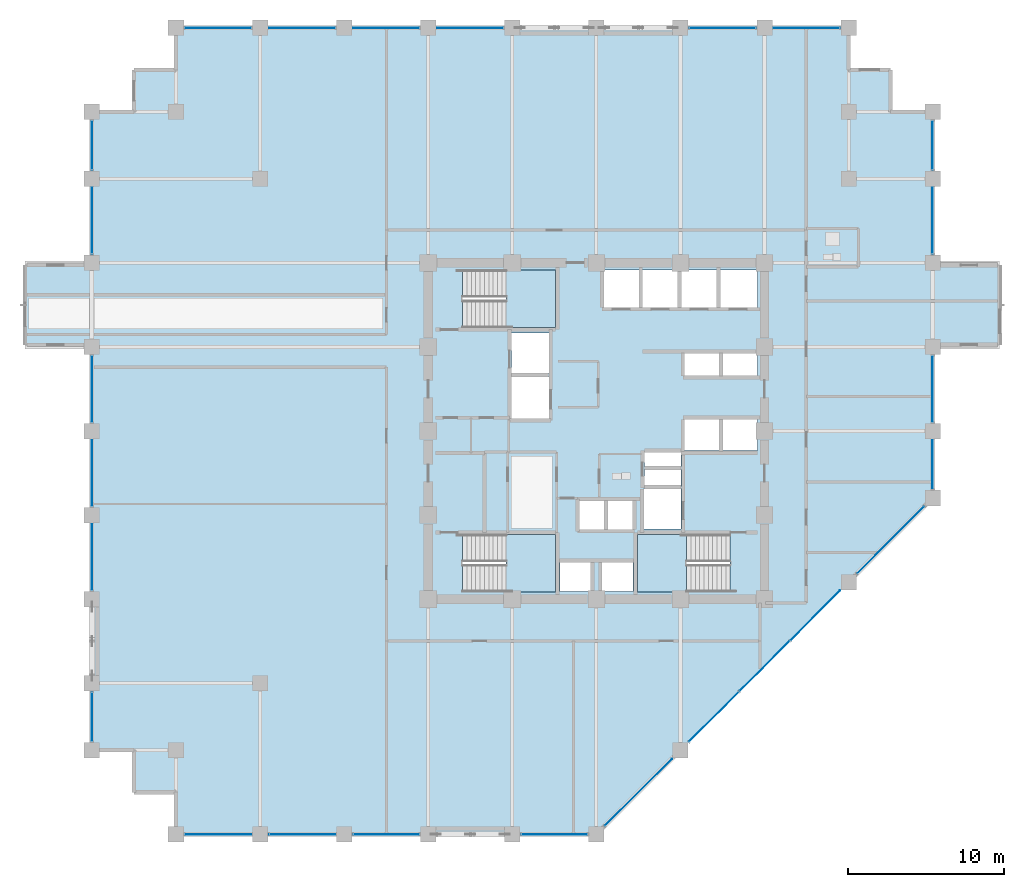
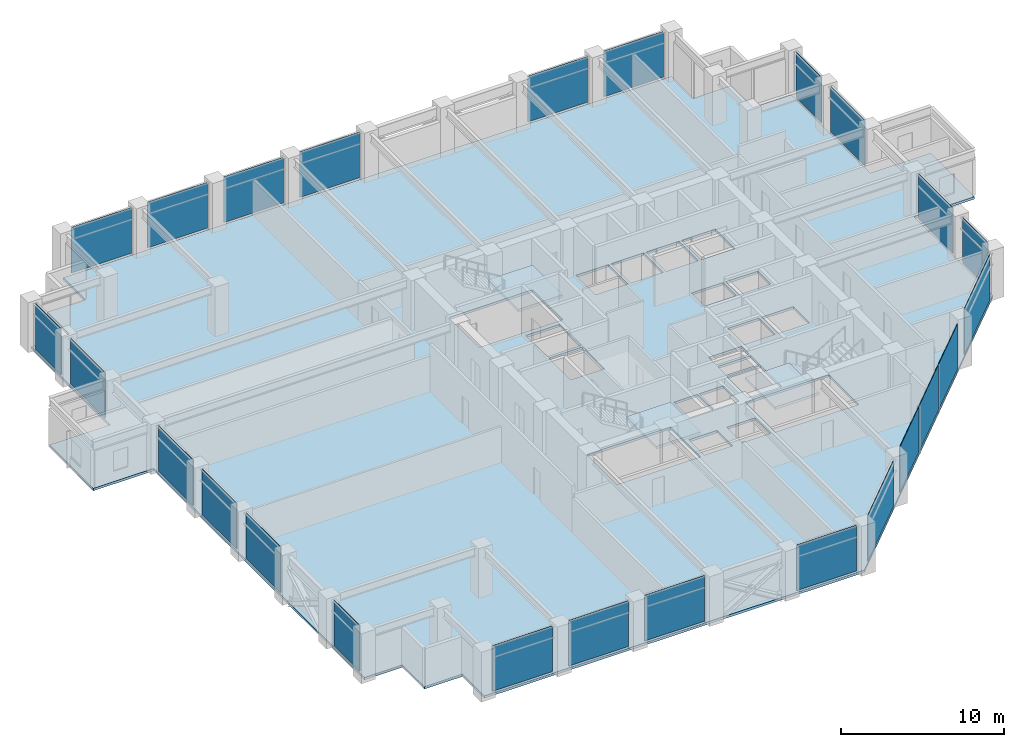
# One storey, part 20 of 29: 25 plates, 4 slabs, 13 elements without a shape of their own.
"""IFC4 building model written with IfcOpenShell, lengths in metres."""

from ifc_helpers import new_model, si_unit, direction, frame, frame_2d, origin, place, context, subcontext, project, spatial, polyline, rectangle, outline, extrude, material, layer, layer_set, type_object, element, aggregate, save


model = new_model("IFC4")

# Units and contexts
model_context = context("Model", 3, precision=1e-05, world=origin(), true_north=direction((0.0, 1.0)))
body_context = subcontext(model_context, "Body", "Model", "MODEL_VIEW")
ifc_project = project(units=[si_unit("LENGTHUNIT", "METRE"), si_unit("AREAUNIT", "SQUARE_METRE"), si_unit("VOLUMEUNIT", "CUBIC_METRE"), si_unit("PLANEANGLEUNIT", "RADIAN"), si_unit("MASSUNIT", "GRAM", prefix="KILO")], contexts=[model_context])

# Site, building, storey
site_placement = place(None, origin())
site = spatial("IfcSite", under=ifc_project, at=site_placement, CompositionType="ELEMENT")
building_placement = place(site_placement, origin())
building = spatial("IfcBuilding", under=site, at=building_placement, Name="Surkhivell Harbour Commons", CompositionType="ELEMENT")
storey_placement = place(building_placement, frame((0.0, 0.0, 154.5)))
storey = spatial("IfcBuildingStorey", under=building, at=storey_placement, Name="L40", CompositionType="ELEMENT", Elevation=154.5)

# Curtain wall, plates
ifc_material_1 = material(Name="Anodised pale-metal aluminium and insulated glazing", Category="aluminium")
ifc_layer_1 = layer(ifc_material_1, 0.205078125)
ifc_layer_set_1 = layer_set([ifc_layer_1], Name="Anodised pale-metal aluminium and insulated glazing")
curtain_wall_type = type_object("IfcCurtainWallType", Name="CW-SYS-Z2", PredefinedType="NOTDEFINED", material=ifc_layer_set_1)
curtain_wall_1_placement = place(storey_placement, origin())
curtain_wall_1 = element("IfcCurtainWall", 1, at=curtain_wall_1_placement, inside=storey, type_object=curtain_wall_type, Name="L40 Curtain Wall CW-L40-E00S1", PredefinedType="NOTDEFINED")
ifc_material_2 = material(Name="High-pressure typhoon laminated vision glass", Category="glass")
ifc_layer_2 = layer(ifc_material_2, 0.035888671875)
ifc_layer_set_2 = layer_set([ifc_layer_2], Name="High-pressure typhoon laminated vision glass")
plate_type = type_object("IfcPlateType", Name="CWP-GLZ-36", PredefinedType="CURTAIN_PANEL", material=ifc_layer_set_2)
plate_1_placement = place(storey_placement, frame((-26.423095703125, -25.89990234375, 0.14990234375), z_axis=(0.0, 0.0, 1.0), x_axis=(1.0, 0.0, 0.0)))
plate_1 = element("IfcPlate", 2, at=plate_1_placement, type_object=plate_type, Name="CW-Z2 panel 1.1", PredefinedType="CURTAIN_PANEL", context=body_context, shape_type="SweptSolid", body=[
    extrude(rectangle(XDim=4.24609375, YDim=0.035888671875, at=frame_2d((2.123046875, 0.0))), origin(), (0.0, 0.0, 1.0), 3.420166015625),
])
plate_2_placement = place(storey_placement, frame((-21.02294921875, -25.89990234375, 0.14990234375), z_axis=(0.0, 0.0, 1.0), x_axis=(1.0, 0.0, 0.0)))
plate_2 = element("IfcPlate", 3, at=plate_2_placement, type_object=plate_type, Name="CW-Z2 panel 2.1", PredefinedType="CURTAIN_PANEL", context=body_context, shape_type="SweptSolid", body=[
    extrude(rectangle(XDim=4.245849609375, YDim=0.035888671875, at=frame_2d((2.123046875, 0.0))), origin(), (0.0, 0.0, 1.0), 3.420166015625),
])
plate_3_placement = place(storey_placement, frame((-15.623046875, -25.89990234375, 0.14990234375), z_axis=(0.0, 0.0, 1.0), x_axis=(1.0, 0.0, 0.0)))
plate_3 = element("IfcPlate", 4, at=plate_3_placement, type_object=plate_type, Name="CW-Z2 panel 3.1", PredefinedType="CURTAIN_PANEL", context=body_context, shape_type="SweptSolid", body=[
    extrude(rectangle(XDim=4.24609375, YDim=0.035888671875, at=frame_2d((2.123046875, 0.0))), origin(), (0.0, 0.0, 1.0), 3.420166015625),
])
aggregate(curtain_wall_1, [plate_1, plate_2, plate_3])

# Curtain wall, plate
curtain_wall_2_placement = place(storey_placement, origin())
curtain_wall_2 = element("IfcCurtainWall", 5, at=curtain_wall_2_placement, inside=storey, type_object=curtain_wall_type, Name="L40 Curtain Wall CW-L40-E00S2", PredefinedType="NOTDEFINED")
plate_4_placement = place(storey_placement, frame((-4.822998046875, -25.89990234375, 0.14990234375), z_axis=(0.0, 0.0, 1.0), x_axis=(1.0, 0.0, 0.0)))
plate_4 = element("IfcPlate", 6, at=plate_4_placement, type_object=plate_type, Name="CW-Z2 panel 1.1", PredefinedType="CURTAIN_PANEL", context=body_context, shape_type="SweptSolid", body=[
    extrude(rectangle(XDim=4.24609375, YDim=0.035888671875, at=frame_2d((2.123046875, 0.0))), origin(), (0.0, 0.0, 1.0), 3.420166015625),
])
aggregate(curtain_wall_2, [plate_4])

# Curtain wall, plates
curtain_wall_3_placement = place(storey_placement, origin())
curtain_wall_3 = element("IfcCurtainWall", 7, at=curtain_wall_3_placement, inside=storey, type_object=curtain_wall_type, Name="L40 Curtain Wall CW-L40-E01", PredefinedType="NOTDEFINED")
plate_5_placement = place(storey_placement, frame((0.5546875, -25.34521484375, 0.14990234375), z_axis=(0.0, 0.0, 1.0), x_axis=(0.707106781187, 0.707106781187, 0.0)))
plate_5 = element("IfcPlate", 8, at=plate_5_placement, type_object=plate_type, Name="CW-Z2 panel 1.1", PredefinedType="CURTAIN_PANEL", context=body_context, shape_type="SweptSolid", body=[
    extrude(rectangle(XDim=6.067626953125, YDim=0.035888671875, at=frame_2d((3.03369140625, 0.0))), origin(), (0.0, 0.0, 1.0), 3.420166015625),
])
plate_6_placement = place(storey_placement, frame((5.954833984375, -19.9453125, 0.14990234375), z_axis=(0.0, 0.0, 1.0), x_axis=(0.707079687416, 0.707133873919, 0.0)))
plate_6 = element("IfcPlate", 9, at=plate_6_placement, type_object=plate_type, Name="CW-Z2 panel 2.1", PredefinedType="CURTAIN_PANEL", context=body_context, shape_type="SweptSolid", body=[
    extrude(rectangle(XDim=4.505615234375, YDim=0.035888671875, at=frame_2d((2.2529296875, 0.0))), origin(), (0.0, 0.0, 1.0), 3.420166015625),
])
plate_7_placement = place(storey_placement, frame((9.19384765625, -16.706298828125, 0.14990234375), z_axis=(0.0, 0.0, 1.0), x_axis=(0.707079911854, 0.707133649498, 0.0)))
plate_7 = element("IfcPlate", 10, at=plate_7_placement, type_object=plate_type, Name="CW-Z2 panel 3.1", PredefinedType="CURTAIN_PANEL", context=body_context, shape_type="SweptSolid", body=[
    extrude(rectangle(XDim=4.543212890625, YDim=0.035888671875, at=frame_2d((2.271484375, 0.0))), origin(), (0.0, 0.0, 1.0), 3.420166015625),
])
plate_8_placement = place(storey_placement, frame((12.459228515625, -13.440673828125, 0.14990234375), z_axis=(0.0, 0.0, 1.0), x_axis=(0.707106781187, 0.707106781187, 0.0)))
plate_8 = element("IfcPlate", 11, at=plate_8_placement, type_object=plate_type, Name="CW-Z2 panel 4.1", PredefinedType="CURTAIN_PANEL", context=body_context, shape_type="SweptSolid", body=[
    extrude(rectangle(XDim=4.505615234375, YDim=0.035888671875, at=frame_2d((2.2529296875, 0.0))), origin(), (0.0, 0.0, 1.0), 3.420166015625),
])
plate_9_placement = place(storey_placement, frame((16.754638671875, -9.145263671875, 0.14990234375), z_axis=(0.0, 0.0, 1.0), x_axis=(0.707106781187, 0.707106781187, 0.0)))
plate_9 = element("IfcPlate", 12, at=plate_9_placement, type_object=plate_type, Name="CW-Z2 panel 5.1", PredefinedType="CURTAIN_PANEL", context=body_context, shape_type="SweptSolid", body=[
    extrude(rectangle(XDim=6.067626953125, YDim=0.035888671875, at=frame_2d((3.03369140625, 0.0))), origin(), (0.0, 0.0, 1.0), 3.420166015625),
])
aggregate(curtain_wall_3, [plate_5, plate_6, plate_7, plate_8, plate_9])

curtain_wall_4_placement = place(storey_placement, origin())
curtain_wall_4 = element("IfcCurtainWall", 13, at=curtain_wall_4_placement, inside=storey, type_object=curtain_wall_type, Name="L40 Curtain Wall CW-L40-E02R1", PredefinedType="NOTDEFINED")
plate_10_placement = place(storey_placement, frame((21.60009765625, -3.722900390625, 0.14990234375), z_axis=(0.0, 0.0, 1.0), x_axis=(0.0, 1.0, 0.0)))
plate_10 = element("IfcPlate", 14, at=plate_10_placement, type_object=plate_type, Name="CW-Z2 panel 1.1", PredefinedType="CURTAIN_PANEL", context=body_context, shape_type="SweptSolid", body=[
    extrude(rectangle(XDim=3.14599609375, YDim=0.035888671875, at=frame_2d((1.572998046875, 0.0))), origin(), (0.0, 0.0, 1.0), 3.420166015625),
])
plate_11_placement = place(storey_placement, frame((21.60009765625, 0.576904296875, 0.14990234375), z_axis=(0.0, 0.0, 1.0), x_axis=(0.0, 1.0, 0.0)))
plate_11 = element("IfcPlate", 15, at=plate_11_placement, type_object=plate_type, Name="CW-Z2 panel 2.1", PredefinedType="CURTAIN_PANEL", context=body_context, shape_type="SweptSolid", body=[
    extrude(rectangle(XDim=4.24609375, YDim=0.035888671875, at=frame_2d((2.123046875, 0.0))), origin(), (0.0, 0.0, 1.0), 3.420166015625),
])
aggregate(curtain_wall_4, [plate_10, plate_11])

curtain_wall_5_placement = place(storey_placement, origin())
curtain_wall_5 = element("IfcCurtainWall", 16, at=curtain_wall_5_placement, inside=storey, type_object=curtain_wall_type, Name="L40 Curtain Wall CW-L40-E02R2", PredefinedType="NOTDEFINED")
plate_12_placement = place(storey_placement, frame((21.60009765625, 11.376953125, 0.14990234375), z_axis=(0.0, 0.0, 1.0), x_axis=(0.0, 1.0, 0.0)))
plate_12 = element("IfcPlate", 17, at=plate_12_placement, type_object=plate_type, Name="CW-Z2 panel 1.1", PredefinedType="CURTAIN_PANEL", context=body_context, shape_type="SweptSolid", body=[
    extrude(rectangle(XDim=4.24609375, YDim=0.035888671875, at=frame_2d((2.123046875, 0.0))), origin(), (0.0, 0.0, 1.0), 3.420166015625),
])
plate_13_placement = place(storey_placement, frame((21.60009765625, 16.777099609375, 0.14990234375), z_axis=(0.0, 0.0, 1.0), x_axis=(0.0, 1.0, 0.0)))
plate_13 = element("IfcPlate", 18, at=plate_13_placement, type_object=plate_type, Name="CW-Z2 panel 2.1", PredefinedType="CURTAIN_PANEL", context=body_context, shape_type="SweptSolid", body=[
    extrude(rectangle(XDim=3.14599609375, YDim=0.035888671875, at=frame_2d((1.572998046875, 0.0))), origin(), (0.0, 0.0, 1.0), 3.420166015625),
])
aggregate(curtain_wall_5, [plate_12, plate_13])

curtain_wall_6_placement = place(storey_placement, origin())
curtain_wall_6 = element("IfcCurtainWall", 19, at=curtain_wall_6_placement, inside=storey, type_object=curtain_wall_type, Name="L40 Curtain Wall CW-L40-E07S1", PredefinedType="NOTDEFINED")
plate_14_placement = place(storey_placement, frame((15.623046875, 25.89990234375, 0.14990234375), z_axis=(0.0, 0.0, 1.0), x_axis=(-1.0, 0.0, 0.0)))
plate_14 = element("IfcPlate", 20, at=plate_14_placement, type_object=plate_type, Name="CW-Z2 panel 1.1", PredefinedType="CURTAIN_PANEL", context=body_context, shape_type="SweptSolid", body=[
    extrude(rectangle(XDim=4.24609375, YDim=0.035888671875, at=frame_2d((2.123046875, 0.0))), origin(), (0.0, 0.0, 1.0), 3.420166015625),
])
plate_15_placement = place(storey_placement, frame((10.222900390625, 25.89990234375, 0.14990234375), z_axis=(0.0, 0.0, 1.0), x_axis=(-1.0, 0.0, 0.0)))
plate_15 = element("IfcPlate", 21, at=plate_15_placement, type_object=plate_type, Name="CW-Z2 panel 2.1", PredefinedType="CURTAIN_PANEL", context=body_context, shape_type="SweptSolid", body=[
    extrude(rectangle(XDim=4.245849609375, YDim=0.035888671875, at=frame_2d((2.123046875, 0.0))), origin(), (0.0, 0.0, 1.0), 3.420166015625),
])
aggregate(curtain_wall_6, [plate_14, plate_15])

curtain_wall_7_placement = place(storey_placement, origin())
curtain_wall_7 = element("IfcCurtainWall", 22, at=curtain_wall_7_placement, inside=storey, type_object=curtain_wall_type, Name="L40 Curtain Wall CW-L40-E07S2", PredefinedType="NOTDEFINED")
plate_16_placement = place(storey_placement, frame((-5.97705078125, 25.89990234375, 0.14990234375), z_axis=(0.0, 0.0, 1.0), x_axis=(-1.0, 0.0, 0.0)))
plate_16 = element("IfcPlate", 23, at=plate_16_placement, type_object=plate_type, Name="CW-Z2 panel 1.1", PredefinedType="CURTAIN_PANEL", context=body_context, shape_type="SweptSolid", body=[
    extrude(rectangle(XDim=4.245849609375, YDim=0.035888671875, at=frame_2d((2.123046875, 0.0))), origin(), (0.0, 0.0, 1.0), 3.420166015625),
])
plate_17_placement = place(storey_placement, frame((-11.376953125, 25.89990234375, 0.14990234375), z_axis=(0.0, 0.0, 1.0), x_axis=(-1.0, 0.0, 0.0)))
plate_17 = element("IfcPlate", 24, at=plate_17_placement, type_object=plate_type, Name="CW-Z2 panel 2.1", PredefinedType="CURTAIN_PANEL", context=body_context, shape_type="SweptSolid", body=[
    extrude(rectangle(XDim=4.24609375, YDim=0.035888671875, at=frame_2d((2.123046875, 0.0))), origin(), (0.0, 0.0, 1.0), 3.420166015625),
])
plate_18_placement = place(storey_placement, frame((-16.777099609375, 25.89990234375, 0.14990234375), z_axis=(0.0, 0.0, 1.0), x_axis=(-1.0, 0.0, 0.0)))
plate_18 = element("IfcPlate", 25, at=plate_18_placement, type_object=plate_type, Name="CW-Z2 panel 3.1", PredefinedType="CURTAIN_PANEL", context=body_context, shape_type="SweptSolid", body=[
    extrude(rectangle(XDim=4.245849609375, YDim=0.035888671875, at=frame_2d((2.123046875, 0.0))), origin(), (0.0, 0.0, 1.0), 3.420166015625),
])
plate_19_placement = place(storey_placement, frame((-22.177001953125, 25.89990234375, 0.14990234375), z_axis=(0.0, 0.0, 1.0), x_axis=(-1.0, 0.0, 0.0)))
plate_19 = element("IfcPlate", 26, at=plate_19_placement, type_object=plate_type, Name="CW-Z2 panel 4.1", PredefinedType="CURTAIN_PANEL", context=body_context, shape_type="SweptSolid", body=[
    extrude(rectangle(XDim=4.24609375, YDim=0.035888671875, at=frame_2d((2.123046875, 0.0))), origin(), (0.0, 0.0, 1.0), 3.420166015625),
])
aggregate(curtain_wall_7, [plate_16, plate_17, plate_18, plate_19])

# Curtain wall, plate
curtain_wall_8_placement = place(storey_placement, origin())
curtain_wall_8 = element("IfcCurtainWall", 27, at=curtain_wall_8_placement, inside=storey, type_object=curtain_wall_type, Name="L40 Curtain Wall CW-L40-E12R1S1", PredefinedType="NOTDEFINED")
plate_20_placement = place(storey_placement, frame((-32.39990234375, -19.923095703125, 0.14990234375), z_axis=(0.0, 0.0, 1.0), x_axis=(0.0, 1.0, 0.0)))
plate_20 = element("IfcPlate", 28, at=plate_20_placement, type_object=plate_type, Name="CW-Z2 panel 1.1", PredefinedType="CURTAIN_PANEL", context=body_context, shape_type="SweptSolid", body=[
    extrude(rectangle(XDim=3.14599609375, YDim=0.035888671875, at=frame_2d((1.572998046875, 0.0))), origin(), (0.0, 0.0, 1.0), 3.420166015625),
])
aggregate(curtain_wall_8, [plate_20])

# Curtain wall, plates
curtain_wall_9_placement = place(storey_placement, origin())
curtain_wall_9 = element("IfcCurtainWall", 29, at=curtain_wall_9_placement, inside=storey, type_object=curtain_wall_type, Name="L40 Curtain Wall CW-L40-E12R1S2", PredefinedType="NOTDEFINED")
plate_21_placement = place(storey_placement, frame((-32.39990234375, -10.222900390625, 0.14990234375), z_axis=(0.0, 0.0, 1.0), x_axis=(0.0, 1.0, 0.0)))
plate_21 = element("IfcPlate", 30, at=plate_21_placement, type_object=plate_type, Name="CW-Z2 panel 1.1", PredefinedType="CURTAIN_PANEL", context=body_context, shape_type="SweptSolid", body=[
    extrude(rectangle(XDim=4.245849609375, YDim=0.035888671875, at=frame_2d((2.123046875, 0.0))), origin(), (0.0, 0.0, 1.0), 3.420166015625),
])
plate_22_placement = place(storey_placement, frame((-32.39990234375, -4.822998046875, 0.14990234375), z_axis=(0.0, 0.0, 1.0), x_axis=(0.0, 1.0, 0.0)))
plate_22 = element("IfcPlate", 31, at=plate_22_placement, type_object=plate_type, Name="CW-Z2 panel 2.1", PredefinedType="CURTAIN_PANEL", context=body_context, shape_type="SweptSolid", body=[
    extrude(rectangle(XDim=4.24609375, YDim=0.035888671875, at=frame_2d((2.123046875, 0.0))), origin(), (0.0, 0.0, 1.0), 3.420166015625),
])
plate_23_placement = place(storey_placement, frame((-32.39990234375, 0.576904296875, 0.14990234375), z_axis=(0.0, 0.0, 1.0), x_axis=(0.0, 1.0, 0.0)))
plate_23 = element("IfcPlate", 32, at=plate_23_placement, type_object=plate_type, Name="CW-Z2 panel 3.1", PredefinedType="CURTAIN_PANEL", context=body_context, shape_type="SweptSolid", body=[
    extrude(rectangle(XDim=4.24609375, YDim=0.035888671875, at=frame_2d((2.123046875, 0.0))), origin(), (0.0, 0.0, 1.0), 3.420166015625),
])
aggregate(curtain_wall_9, [plate_21, plate_22, plate_23])

curtain_wall_10_placement = place(storey_placement, origin())
curtain_wall_10 = element("IfcCurtainWall", 33, at=curtain_wall_10_placement, inside=storey, type_object=curtain_wall_type, Name="L40 Curtain Wall CW-L40-E12R2", PredefinedType="NOTDEFINED")
plate_24_placement = place(storey_placement, frame((-32.39990234375, 11.376953125, 0.14990234375), z_axis=(0.0, 0.0, 1.0), x_axis=(0.0, 1.0, 0.0)))
plate_24 = element("IfcPlate", 34, at=plate_24_placement, type_object=plate_type, Name="CW-Z2 panel 1.1", PredefinedType="CURTAIN_PANEL", context=body_context, shape_type="SweptSolid", body=[
    extrude(rectangle(XDim=4.24609375, YDim=0.035888671875, at=frame_2d((2.123046875, 0.0))), origin(), (0.0, 0.0, 1.0), 3.420166015625),
])
plate_25_placement = place(storey_placement, frame((-32.39990234375, 16.777099609375, 0.14990234375), z_axis=(0.0, 0.0, 1.0), x_axis=(0.0, 1.0, 0.0)))
plate_25 = element("IfcPlate", 35, at=plate_25_placement, type_object=plate_type, Name="CW-Z2 panel 2.1", PredefinedType="CURTAIN_PANEL", context=body_context, shape_type="SweptSolid", body=[
    extrude(rectangle(XDim=3.14599609375, YDim=0.035888671875, at=frame_2d((1.572998046875, 0.0))), origin(), (0.0, 0.0, 1.0), 3.420166015625),
])
aggregate(curtain_wall_10, [plate_24, plate_25])

# Stair, slab
ifc_material_3 = material(Name="Precast concrete C45/55", Category="concrete")
stair_type = type_object("IfcStairType", Name="STR-DL-375", PredefinedType="HALF_TURN_STAIR", material=ifc_material_3)
stair_1_placement = place(storey_placement, origin())
stair_1 = element("IfcStair", 36, at=stair_1_placement, inside=storey, type_object=stair_type, Name="L40 Core Exit Stair ST1", PredefinedType="HALF_TURN_STAIR")
ifc_material_4 = material(Name="Reinforced concrete C45/55", Category="concrete")
ifc_layer_3 = layer(ifc_material_4, 0.199951171875)
ifc_layer_set_3 = layer_set([ifc_layer_3], Name="Reinforced concrete C45/55")
slab_type_1 = type_object("IfcSlabType", Name="SLB-ST-LND200", PredefinedType="LANDING", material=ifc_layer_set_3)
slab_1_placement = place(storey_placement, frame((0.0, 0.0, 1.675048828125)))
slab_1 = element("IfcSlab", 37, at=slab_1_placement, type_object=slab_type_1, Name="ST1 landing 1", PredefinedType="LANDING", context=body_context, shape_type="SweptSolid", body=[
    extrude(outline(polyline([(-5.7900390625, 6.639892578125), (-2.639892578125, 6.639892578125), (-2.639892578125, 10.340087890625), (-5.7900390625, 10.340087890625), (-5.7900390625, 6.639892578125)])), origin(), (0.0, 0.0, 1.0), 0.199951171875),
])
aggregate(stair_1, [slab_1])

stair_2_placement = place(storey_placement, origin())
stair_2 = element("IfcStair", 38, at=stair_2_placement, inside=storey, type_object=stair_type, Name="L40 Core Exit Stair ST2", PredefinedType="HALF_TURN_STAIR")
slab_2_placement = place(storey_placement, frame((0.0, 0.0, 1.675048828125)))
slab_2 = element("IfcSlab", 39, at=slab_2_placement, type_object=slab_type_1, Name="ST2 landing 1", PredefinedType="LANDING", context=body_context, shape_type="SweptSolid", body=[
    extrude(outline(polyline([(5.7900390625, -6.639892578125), (2.639892578125, -6.639892578125), (2.639892578125, -10.340087890625), (5.7900390625, -10.340087890625), (5.7900390625, -6.639892578125)])), origin(), (0.0, 0.0, 1.0), 0.199951171875),
])
aggregate(stair_2, [slab_2])

stair_3_placement = place(storey_placement, origin())
stair_3 = element("IfcStair", 40, at=stair_3_placement, inside=storey, type_object=stair_type, Name="L40 Core Exit Stair ST3", PredefinedType="HALF_TURN_STAIR")
slab_3_placement = place(storey_placement, frame((0.0, 0.0, 1.675048828125)))
slab_3 = element("IfcSlab", 41, at=slab_3_placement, type_object=slab_type_1, Name="ST3 landing 1", PredefinedType="LANDING", context=body_context, shape_type="SweptSolid", body=[
    extrude(outline(polyline([(-5.7900390625, -10.340087890625), (-2.639892578125, -10.340087890625), (-2.639892578125, -6.639892578125), (-5.7900390625, -6.639892578125), (-5.7900390625, -10.340087890625)])), origin(), (0.0, 0.0, 1.0), 0.199951171875),
])
aggregate(stair_3, [slab_3])

# Slab
ifc_material_5 = material(Name="Concrete C45/55", Category="concrete")
ifc_layer_4 = layer(ifc_material_5, 0.179931640625)
ifc_layer_set_4 = layer_set([ifc_layer_4], Name="Concrete C45/55")
slab_type_2 = type_object("IfcSlabType", Name="SLB-TYP-180", PredefinedType="FLOOR", material=ifc_layer_set_4)
slab_4_placement = place(storey_placement, frame((0.0, 0.0, -0.179931640625)))
element("IfcSlab", 42, at=slab_4_placement, inside=storey, type_object=slab_type_2, Name="L40 Structural Floor Slab", PredefinedType="FLOOR", context=body_context, shape_type="SweptSolid", body=[
    extrude(outline(polyline([(-32.39990234375, 20.5), (-32.39990234375, 10.800048828125), (-36.699951171875, 10.800048828125), (-36.699951171875, 5.39990234375), (-32.39990234375, 5.39990234375), (-32.39990234375, -20.5), (-29.699951171875, -20.5), (-29.699951171875, -23.199951171875), (-27.0, -23.199951171875), (-27.0, -25.89990234375), (0.0, -25.89990234375), (21.60009765625, -4.300048828125), (21.60009765625, 5.39990234375), (25.89990234375, 5.39990234375), (25.89990234375, 10.800048828125), (21.60009765625, 10.800048828125), (21.60009765625, 20.5), (18.89990234375, 20.5), (18.89990234375, 23.199951171875), (16.199951171875, 23.199951171875), (16.199951171875, 25.89990234375), (-27.0, 25.89990234375), (-27.0, 23.199951171875), (-29.699951171875, 23.199951171875), (-29.699951171875, 20.5), (-32.39990234375, 20.5)]), holes=[polyline([(-8.590087890625, 6.639892578125), (-2.639892578125, 6.639892578125), (-2.639892578125, 10.340087890625), (-8.590087890625, 10.340087890625), (-8.590087890625, 6.639892578125)]), polyline([(8.590087890625, -6.639892578125), (2.639892578125, -6.639892578125), (2.639892578125, -10.340087890625), (8.590087890625, -10.340087890625), (8.590087890625, -6.639892578125)]), polyline([(-8.590087890625, -10.340087890625), (-2.639892578125, -10.340087890625), (-2.639892578125, -6.639892578125), (-8.590087890625, -6.639892578125), (-8.590087890625, -10.340087890625)]), polyline([(0.449951171875, 7.949951171875), (2.75, 7.949951171875), (2.75, 10.35009765625), (0.449951171875, 10.35009765625), (0.449951171875, 7.949951171875)]), polyline([(2.949951171875, 7.949951171875), (5.25, 7.949951171875), (5.25, 10.35009765625), (2.949951171875, 10.35009765625), (2.949951171875, 7.949951171875)]), polyline([(5.449951171875, 7.949951171875), (7.75, 7.949951171875), (7.75, 10.35009765625), (5.449951171875, 10.35009765625), (5.449951171875, 7.949951171875)]), polyline([(7.949951171875, 7.949951171875), (10.35009765625, 7.949951171875), (10.35009765625, 10.35009765625), (7.949951171875, 10.35009765625), (7.949951171875, 7.949951171875)]), polyline([(5.64990234375, 3.550048828125), (7.89990234375, 3.550048828125), (7.89990234375, 5.14990234375), (5.64990234375, 5.14990234375), (5.64990234375, 3.550048828125)]), polyline([(8.10009765625, 3.550048828125), (10.35009765625, 3.550048828125), (10.35009765625, 5.14990234375), (8.10009765625, 5.14990234375), (8.10009765625, 3.550048828125)]), polyline([(5.64990234375, -1.25), (7.89990234375, -1.25), (7.89990234375, 0.75), (5.64990234375, 0.75), (5.64990234375, -1.25)]), polyline([(8.10009765625, -1.25), (10.35009765625, -1.25), (10.35009765625, 0.75), (8.10009765625, 0.75), (8.10009765625, -1.25)]), polyline([(-1.14990234375, -6.35009765625), (0.550048828125, -6.35009765625), (0.550048828125, -4.449951171875), (-1.14990234375, -4.449951171875), (-1.14990234375, -6.35009765625)]), polyline([(0.679931640625, -6.35009765625), (2.3798828125, -6.35009765625), (2.3798828125, -4.449951171875), (0.679931640625, -4.449951171875), (0.679931640625, -6.35009765625)]), polyline([(-2.35009765625, -10.300048828125), (-0.35009765625, -10.300048828125), (-0.35009765625, -8.39990234375), (-2.35009765625, -8.39990234375), (-2.35009765625, -10.300048828125)]), polyline([(0.35009765625, -10.300048828125), (2.35009765625, -10.300048828125), (2.35009765625, -8.39990234375), (0.35009765625, -8.39990234375), (0.35009765625, -10.300048828125)]), polyline([(-5.449951171875, 3.699951171875), (-3.050048828125, 3.699951171875), (-3.050048828125, 6.300048828125), (-5.449951171875, 6.300048828125), (-5.449951171875, 3.699951171875)]), polyline([(3.050048828125, -6.300048828125), (5.449951171875, -6.300048828125), (5.449951171875, -3.699951171875), (3.050048828125, -3.699951171875), (3.050048828125, -6.300048828125)]), polyline([(-5.449951171875, 0.800048828125), (-3.050048828125, 0.800048828125), (-3.050048828125, 3.5), (-5.449951171875, 3.5), (-5.449951171875, 0.800048828125)]), polyline([(3.10009765625, -3.550048828125), (5.449951171875, -3.550048828125), (5.449951171875, -2.47998046875), (3.10009765625, -2.47998046875), (3.10009765625, -3.550048828125)]), polyline([(3.10009765625, -2.280029296875), (5.449951171875, -2.280029296875), (5.449951171875, -1.35009765625), (3.10009765625, -1.35009765625), (3.10009765625, -2.280029296875)])]), origin(), (0.0, 0.0, 1.0), 0.179931640625),
])

save(model, "model.ifc")
